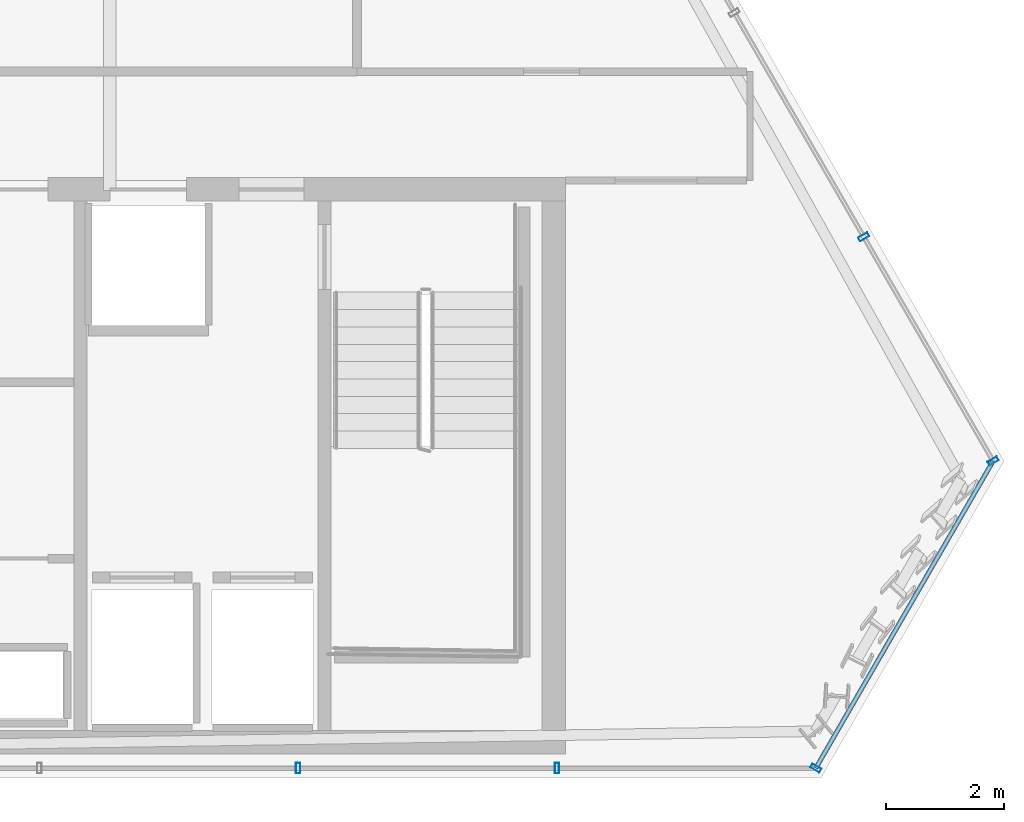
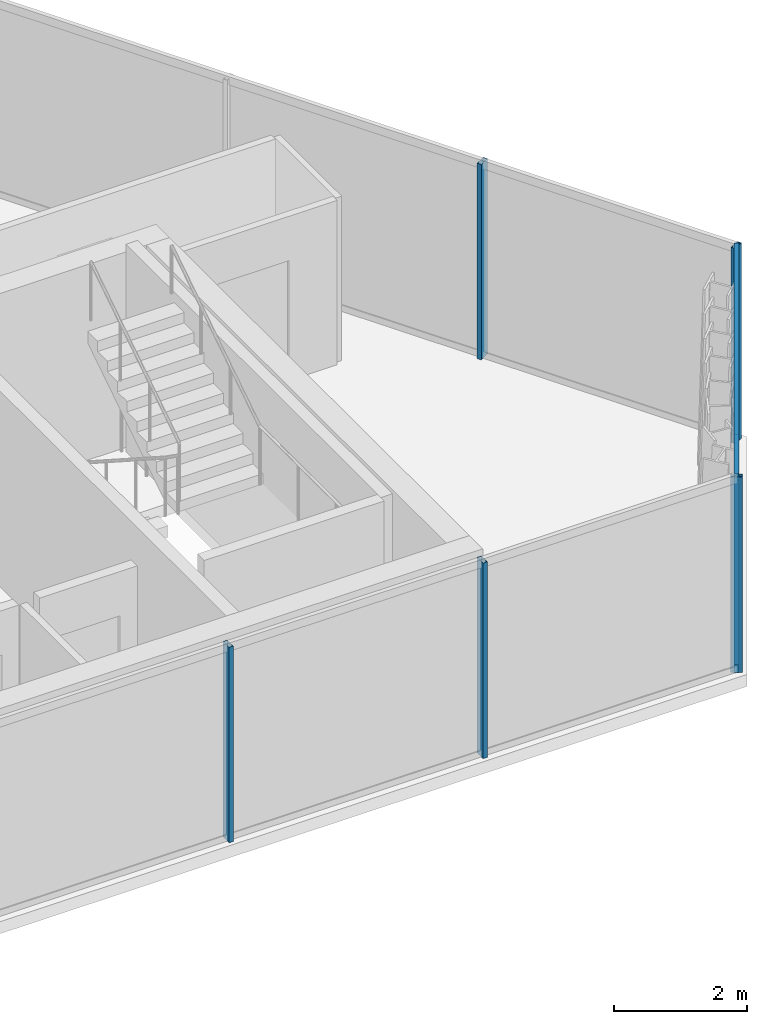
# One storey, part 19 of 32: 7 members, 3 elements without a shape of their own.
"""IFC4 building model written with IfcOpenShell, lengths in metres."""

from ifc_helpers import new_model, si_unit, direction, frame, origin, origin_2d, place, context, subcontext, project, spatial, hollow_rectangle, extrude, material, layer, layer_set, material_profile, profile_set, type_object, element, aggregate, save


model = new_model("IFC4")

# Units and contexts
model_context = context("Model", 3, precision=1e-05, world=origin(), true_north=direction((0.0, 1.0)))
body_context = subcontext(model_context, "Body", "Model", "MODEL_VIEW")
ifc_project = project(units=[si_unit("LENGTHUNIT", "METRE"), si_unit("AREAUNIT", "SQUARE_METRE"), si_unit("VOLUMEUNIT", "CUBIC_METRE"), si_unit("PLANEANGLEUNIT", "RADIAN"), si_unit("MASSUNIT", "GRAM", prefix="KILO")], contexts=[model_context])

# Site, building, storey
site_placement = place(None, origin())
site = spatial("IfcSite", under=ifc_project, at=site_placement, CompositionType="ELEMENT")
building_placement = place(site_placement, origin())
building = spatial("IfcBuilding", under=site, at=building_placement, Name="Ndaravel Arena Tower", CompositionType="ELEMENT")
storey_placement = place(building_placement, frame((0.0, 0.0, 259.800048828125)))
storey = spatial("IfcBuildingStorey", under=building, at=storey_placement, Name="L63", CompositionType="ELEMENT", Elevation=259.800048828125)

# Curtain wall, members
ifc_material_1 = material(Name="Aluminium", Category="aluminium")
ifc_layer_1 = layer(ifc_material_1, 0.179931640625)
ifc_layer_set_1 = layer_set([ifc_layer_1], Name="Aluminium")
curtain_wall_type_1 = type_object("IfcCurtainWallType", Name="CW-SYS-03", PredefinedType="NOTDEFINED", material=ifc_layer_set_1)
curtain_wall_1_placement = place(storey_placement, origin())
curtain_wall_1 = element("IfcCurtainWall", 1, at=curtain_wall_1_placement, inside=storey, type_object=curtain_wall_type_1, Name="L63 Faceted Crystal Curtain Wall CW-L63-E01", PredefinedType="NOTDEFINED")
ifc_material_2 = material(Name="Aluminium", Category="aluminium")
ifc_material_profile_1 = material_profile(ifc_material_2, hollow_rectangle(XDim=0.074951171875, YDim=0.179931640625, WallThickness=0.00390625, at=origin_2d()), Name="CW MULLION 75x180x4")
ifc_profile_set_1 = profile_set([ifc_material_profile_1], Name="Aluminium")
member_type_1 = type_object("IfcMemberType", Name="MEM-CW-MUL180", PredefinedType="MULLION", material=ifc_profile_set_1)
member_1_placement = place(storey_placement, frame((53.001708984375, 5.159912109375, 0.0), z_axis=(0.0, 0.0, 1.0), x_axis=(1.0, 0.0, 0.0)))
member_1 = element("IfcMember", 2, at=member_1_placement, type_object=member_type_1, Name="CW-L63-E01 Mullion 07", PredefinedType="MULLION", context=body_context, shape_type="SweptSolid", body=[
    extrude(hollow_rectangle(XDim=0.074951171875, YDim=0.179931640625, WallThickness=0.00390625, at=origin_2d()), origin(), (0.0, 0.0, 1.0), 3.579833984375),
])
member_2_placement = place(storey_placement, frame((57.40234375, 5.159912109375, 0.0), z_axis=(0.0, 0.0, 1.0), x_axis=(1.0, 0.0, 0.0)))
member_2 = element("IfcMember", 3, at=member_2_placement, type_object=member_type_1, Name="CW-L63-E01 Mullion 08", PredefinedType="MULLION", context=body_context, shape_type="SweptSolid", body=[
    extrude(hollow_rectangle(XDim=0.074951171875, YDim=0.179931640625, WallThickness=0.00390625, at=origin_2d()), origin(), (0.0, 0.0, 1.0), 3.579833984375),
])
aggregate(curtain_wall_1, [member_1, member_2])

# Curtain wall, member
ifc_material_3 = material(Name="Aluminium", Category="aluminium")
ifc_layer_2 = layer(ifc_material_3, 0.179931640625)
ifc_layer_set_2 = layer_set([ifc_layer_2], Name="Aluminium")
curtain_wall_type_2 = type_object("IfcCurtainWallType", Name="CW-SYS-01", PredefinedType="NOTDEFINED", material=ifc_layer_set_2)
curtain_wall_2_placement = place(storey_placement, origin())
curtain_wall_2 = element("IfcCurtainWall", 4, at=curtain_wall_2_placement, inside=storey, type_object=curtain_wall_type_2, Name="L63 Faceted Crystal Curtain Wall CW-L63-E02", PredefinedType="NOTDEFINED")
member_3_placement = place(storey_placement, frame((61.802978515625, 5.159912109375, 0.0), z_axis=(0.0, 0.0, 1.0), x_axis=(0.5, 0.866025403784, 0.0)))
member_3 = element("IfcMember", 5, at=member_3_placement, type_object=member_type_1, Name="CW-L63-E02 Mullion 00", PredefinedType="MULLION", context=body_context, shape_type="SweptSolid", body=[
    extrude(hollow_rectangle(XDim=0.074951171875, YDim=0.179931640625, WallThickness=0.00390625, at=origin_2d()), origin(), (0.0, 0.0, 1.0), 3.579833984375),
])

# Curtain wall, members
curtain_wall_3_placement = place(storey_placement, origin())
curtain_wall_3 = element("IfcCurtainWall", 6, at=curtain_wall_3_placement, inside=storey, type_object=curtain_wall_type_1, Name="L63 Faceted Crystal Curtain Wall CW-L63-E03", PredefinedType="NOTDEFINED")
member_4_placement = place(storey_placement, frame((64.816650390625, 10.3798828125, 0.0), z_axis=(0.0, 0.0, 1.0), x_axis=(-0.5, 0.866025403784, 0.0)))
member_4 = element("IfcMember", 7, at=member_4_placement, type_object=member_type_1, Name="CW-L63-E03 Mullion 00", PredefinedType="MULLION", context=body_context, shape_type="SweptSolid", body=[
    extrude(hollow_rectangle(XDim=0.074951171875, YDim=0.179931640625, WallThickness=0.00390625, at=origin_2d()), origin(), (0.0, 0.0, 1.0), 3.579833984375),
])
member_5_placement = place(storey_placement, frame((62.6162109375, 14.19091796875, 0.0), z_axis=(0.0, 0.0, 1.0), x_axis=(-0.5, 0.866025403784, 0.0)))
member_5 = element("IfcMember", 8, at=member_5_placement, type_object=member_type_1, Name="CW-L63-E03 Mullion 01", PredefinedType="MULLION", context=body_context, shape_type="SweptSolid", body=[
    extrude(hollow_rectangle(XDim=0.074951171875, YDim=0.179931640625, WallThickness=0.00390625, at=origin_2d()), origin(), (0.0, 0.0, 1.0), 3.579833984375),
])
aggregate(curtain_wall_3, [member_4, member_5])

# Member
ifc_material_4 = material(Name="Aluminium", Category="aluminium")
ifc_material_profile_2 = material_profile(ifc_material_4, hollow_rectangle(XDim=0.074951171875, YDim=0.14990234375, WallThickness=0.00390625, at=origin_2d()), Name="CW TRANSOM 75x150x4")
ifc_profile_set_2 = profile_set([ifc_material_profile_2], Name="Aluminium")
member_type_2 = type_object("IfcMemberType", Name="MEM-CW-TRN150", PredefinedType="USERDEFINED", material=ifc_profile_set_2)
member_6_placement = place(storey_placement, frame((61.802978515625, 5.159912109375, 0.0400390625), z_axis=(0.49999009336, 0.86603112331, 0.0), x_axis=(-0.86603112331, 0.49999009336, 0.0)))
member_6 = element("IfcMember", 9, at=member_6_placement, type_object=member_type_2, Name="CW-L63-E02 Transom 01", ObjectType="TRANSOM", PredefinedType="USERDEFINED", context=body_context, shape_type="SweptSolid", body=[
    extrude(hollow_rectangle(XDim=0.074951171875, YDim=0.14990234375, WallThickness=0.00390625, at=origin_2d()), origin(), (0.0, 0.0, 1.0), 6.02734375),
])

member_7_placement = place(storey_placement, frame((61.802978515625, 5.159912109375, 3.5400390625), z_axis=(0.49999009336, 0.86603112331, 0.0), x_axis=(-0.86603112331, 0.49999009336, 0.0)))
member_7 = element("IfcMember", 10, at=member_7_placement, type_object=member_type_2, Name="CW-L63-E02 Transom 02", ObjectType="TRANSOM", PredefinedType="USERDEFINED", context=body_context, shape_type="SweptSolid", body=[
    extrude(hollow_rectangle(XDim=0.074951171875, YDim=0.14990234375, WallThickness=0.00390625, at=origin_2d()), origin(), (0.0, 0.0, 1.0), 6.02734375),
])

aggregate(curtain_wall_2, [member_3, member_6, member_7])

save(model, "model.ifc")
